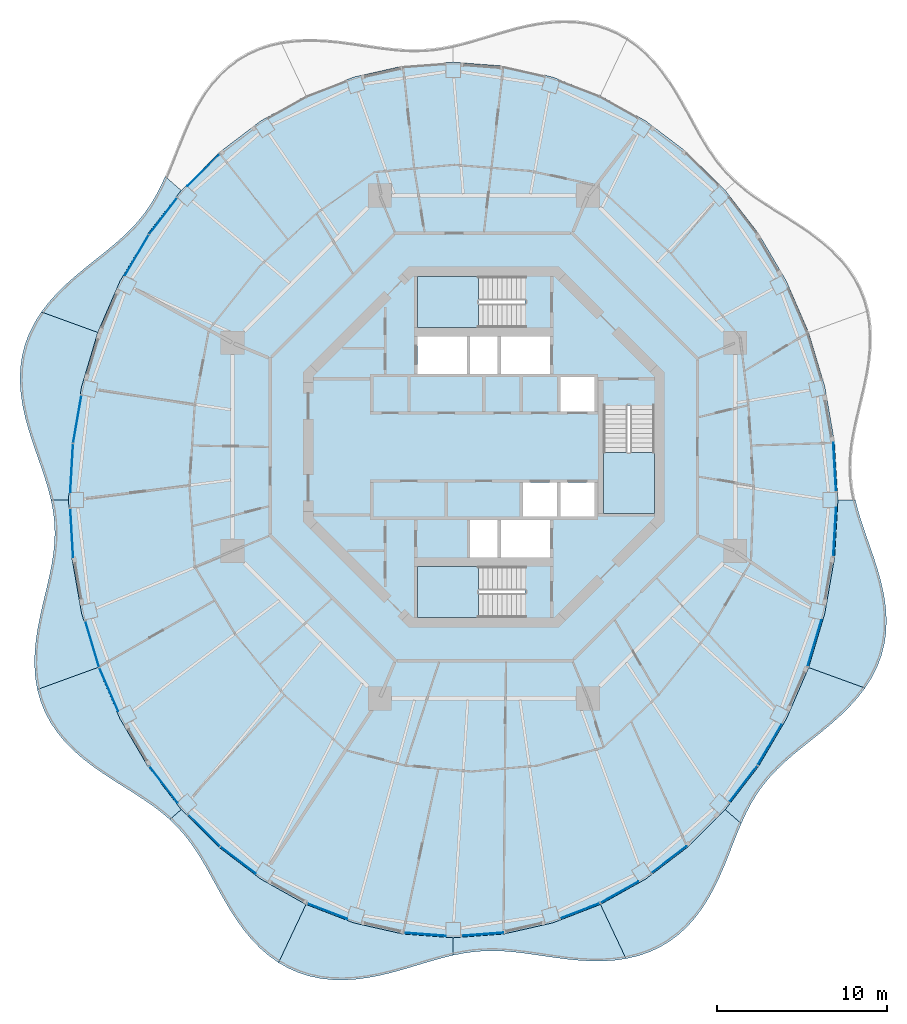
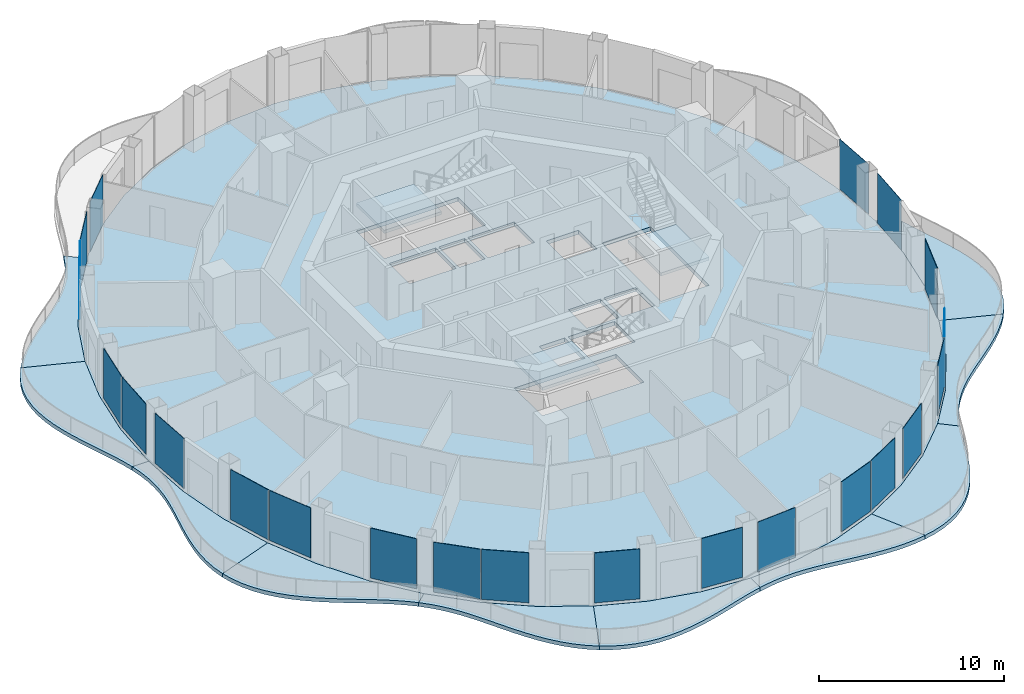
# One storey, part 8 of 17: 22 plates, 14 slabs, 25 elements without a shape of their own.
"""IFC4 building model written with IfcOpenShell, lengths in metres."""

from ifc_helpers import new_model, si_unit, direction, frame, origin, origin_2d, place, context, subcontext, project, spatial, polyline, rectangle, outline, extrude, material, layer, layer_set, type_object, element, aggregate, save


model = new_model("IFC4")

# Units and contexts
model_context = context("Model", 3, precision=1e-05, world=origin(), true_north=direction((0.0, 1.0)))
body_context = subcontext(model_context, "Body", "Model", "MODEL_VIEW")
ifc_project = project(units=[si_unit("LENGTHUNIT", "METRE"), si_unit("AREAUNIT", "SQUARE_METRE"), si_unit("VOLUMEUNIT", "CUBIC_METRE"), si_unit("PLANEANGLEUNIT", "RADIAN"), si_unit("MASSUNIT", "GRAM", prefix="KILO")], contexts=[model_context])

# Site, building, storey
site_placement = place(None, origin())
site = spatial("IfcSite", under=ifc_project, at=site_placement, CompositionType="ELEMENT")
building_placement = place(site_placement, origin())
building = spatial("IfcBuilding", under=site, at=building_placement, Name="Nagisa Residences", CompositionType="ELEMENT")
storey_placement = place(building_placement, frame((0.0, 0.0, 265.89990234375)))
storey = spatial("IfcBuildingStorey", under=building, at=storey_placement, Name="L67", CompositionType="ELEMENT", Elevation=265.89990234375)

# Slabs
ifc_material_1 = material(Name="Concrete C40/50", Category="concrete")
ifc_layer_1 = layer(ifc_material_1, 0.25)
ifc_layer_set_1 = layer_set([ifc_layer_1], Name="BALCONY SLAB 250")
slab_type_1 = type_object("IfcSlabType", Name="BALCONY SLAB 250", PredefinedType="FLOOR", material=ifc_layer_set_1)
slab_1_placement = place(storey_placement, frame((0.0, 0.0, -0.25)))
element("IfcSlab", 1, at=slab_1_placement, inside=storey, type_object=slab_type_1, Name="slab:L67:bal06", PredefinedType="FLOOR", context=body_context, shape_type="SweptSolid", body=[
    extrude(outline(polyline([(-18.732666015625, 15.907470703125), (-19.009765625, 15.3056640625), (-19.3095703125, 14.732666015625), (-19.638671875, 14.18994140625), (-20.001953125, 13.67578125), (-20.40234375, 13.1875), (-20.840576171875, 12.720947265625), (-21.315185546875, 12.2705078125), (-21.822021484375, 11.830322265625), (-22.355224609375, 11.3935546875), (-22.90673828125, 10.95361328125), (-23.46728515625, 10.50390625), (-24.02587890625, 10.038818359375), (-24.571044921875, 9.552978515625), (-25.09130859375, 9.04248046875), (-25.5751953125, 8.505126953125), (-26.01220703125, 7.93896484375), (-22.6982421875, 6.732666015625), (-21.389404296875, 9.752197265625), (-19.74560546875, 12.5517578125), (-17.794677734375, 15.083251953125), (-18.732666015625, 15.907470703125)])), origin(), (0.0, 0.0, 1.0), 0.25),
])
slab_2_placement = place(storey_placement, frame((0.0, 0.0, -0.25)))
element("IfcSlab", 2, at=slab_2_placement, inside=storey, type_object=slab_type_1, Name="slab:L67:bal07", PredefinedType="FLOOR", context=body_context, shape_type="SweptSolid", body=[
    extrude(outline(polyline([(-26.01220703125, 7.93896484375), (-26.404296875, 7.324951171875), (-26.728515625, 6.681640625), (-26.97900390625, 6.012451171875), (-27.152587890625, 5.320556640625), (-27.248779296875, 4.610595703125), (-27.270263671875, 3.88818359375), (-27.22216796875, 3.158447265625), (-27.112548828125, 2.42626953125), (-26.951416015625, 1.697021484375), (-26.750244140625, 0.974609375), (-26.5224609375, 0.261962890625), (-26.281494140625, -0.438720703125), (-26.041015625, -1.126220703125), (-25.81396484375, -1.80078125), (-25.612060546875, -2.4638671875), (-25.445556640625, -3.11767578125), (-24.419921875, -3.11767578125), (-24.2265625, 0.241943359375), (-23.649169921875, 3.544189453125), (-22.6982421875, 6.732666015625), (-26.01220703125, 7.93896484375)])), origin(), (0.0, 0.0, 1.0), 0.25),
])
slab_3_placement = place(storey_placement, frame((0.0, 0.0, -0.25)))
element("IfcSlab", 3, at=slab_3_placement, inside=storey, type_object=slab_type_1, Name="slab:L67:bal08", PredefinedType="FLOOR", context=body_context, shape_type="SweptSolid", body=[
    extrude(outline(polyline([(-25.445556640625, -3.11767578125), (-25.322021484375, -3.765380859375), (-25.246337890625, -4.41015625), (-25.220947265625, -5.056396484375), (-25.24560546875, -5.70751953125), (-25.316162109375, -6.3671875), (-25.4267578125, -7.0380859375), (-25.568359375, -7.72265625), (-25.730712890625, -8.421142578125), (-25.901123046875, -9.134033203125), (-26.066650390625, -9.859619140625), (-26.21337890625, -10.594970703125), (-26.32861328125, -11.336669921875), (-26.399658203125, -12.079833984375), (-26.41552734375, -12.81884765625), (-26.36767578125, -13.5478515625), (-26.249267578125, -14.2607421875), (-22.6982421875, -12.968017578125), (-23.649169921875, -9.77978515625), (-24.2265625, -6.4775390625), (-24.419921875, -3.11767578125), (-25.445556640625, -3.11767578125)])), origin(), (0.0, 0.0, 1.0), 0.25),
])
slab_4_placement = place(storey_placement, frame((0.0, 0.0, -0.25)))
element("IfcSlab", 4, at=slab_4_placement, inside=storey, type_object=slab_type_1, Name="slab:L67:bal09", PredefinedType="FLOOR", context=body_context, shape_type="SweptSolid", body=[
    extrude(outline(polyline([(-26.249267578125, -14.2607421875), (-26.063720703125, -14.930419921875), (-25.806884765625, -15.57470703125), (-25.480712890625, -16.189453125), (-25.088623046875, -16.771484375), (-24.636962890625, -17.319091796875), (-24.13330078125, -17.83203125), (-23.587158203125, -18.311279296875), (-23.009033203125, -18.759521484375), (-22.409912109375, -19.180419921875), (-21.80126953125, -19.57958984375), (-21.193603515625, -19.96337890625), (-20.596923828125, -20.338623046875), (-20.01953125, -20.71337890625), (-19.46875, -21.094482421875), (-18.948974609375, -21.489990234375), (-18.463134765625, -21.906005859375), (-17.794677734375, -21.318603515625), (-19.74560546875, -18.787109375), (-21.389404296875, -15.98779296875), (-22.6982421875, -12.968017578125), (-26.249267578125, -14.2607421875)])), origin(), (0.0, 0.0, 1.0), 0.25),
])
slab_5_placement = place(storey_placement, frame((0.0, 0.0, -0.25)))
element("IfcSlab", 5, at=slab_5_placement, inside=storey, type_object=slab_type_1, Name="slab:L67:bal10", PredefinedType="FLOOR", context=body_context, shape_type="SweptSolid", body=[
    extrude(outline(polyline([(-18.463134765625, -21.906005859375), (-18.032470703125, -22.326904296875), (-17.631591796875, -22.77490234375), (-17.2578125, -23.252197265625), (-16.906494140625, -23.75927734375), (-16.57177734375, -24.295166015625), (-16.2470703125, -24.856689453125), (-15.9248046875, -25.439697265625), (-15.59765625, -26.03759765625), (-15.2578125, -26.64306640625), (-14.8984375, -27.24755859375), (-14.513427734375, -27.841796875), (-14.097412109375, -28.41552734375), (-13.646484375, -28.959228515625), (-13.158203125, -29.463134765625), (-12.632080078125, -29.9189453125), (-12.068359375, -30.318603515625), (-10.456298828125, -26.8984375), (-13.110107421875, -25.4091796875), (-15.570068359375, -23.53857421875), (-17.794677734375, -21.318603515625), (-18.463134765625, -21.906005859375)])), origin(), (0.0, 0.0, 1.0), 0.25),
])
slab_6_placement = place(storey_placement, frame((0.0, 0.0, -0.25)))
element("IfcSlab", 6, at=slab_6_placement, inside=storey, type_object=slab_type_1, Name="slab:L67:bal11", PredefinedType="FLOOR", context=body_context, shape_type="SweptSolid", body=[
    extrude(outline(polyline([(-12.068359375, -30.318603515625), (-11.49169921875, -30.64501953125), (-10.88525390625, -30.91015625), (-10.253173828125, -31.111328125), (-9.60009765625, -31.24853515625), (-8.931640625, -31.3232421875), (-8.252685546875, -31.3388671875), (-7.5693359375, -31.300048828125), (-6.886474609375, -31.214111328125), (-6.208740234375, -31.08837890625), (-5.539794921875, -30.93212890625), (-4.8828125, -30.7548828125), (-4.2392578125, -30.566162109375), (-3.610107421875, -30.3759765625), (-2.994873046875, -30.193603515625), (-2.392333984375, -30.02685546875), (-1.800048828125, -29.88330078125), (-1.800048828125, -28.857666015625), (-4.75244140625, -28.637451171875), (-7.654541015625, -27.980712890625), (-10.456298828125, -26.8984375), (-12.068359375, -30.318603515625)])), origin(), (0.0, 0.0, 1.0), 0.25),
])
slab_7_placement = place(storey_placement, frame((0.0, 0.0, -0.25)))
element("IfcSlab", 7, at=slab_7_placement, inside=storey, type_object=slab_type_1, Name="slab:L67:bal12", PredefinedType="FLOOR", context=body_context, shape_type="SweptSolid", body=[
    extrude(outline(polyline([(-1.800048828125, -29.88330078125), (-1.215087890625, -29.76806640625), (-0.6337890625, -29.685546875), (-0.052490234375, -29.63720703125), (0.53271484375, -29.623291015625), (1.12548828125, -29.641845703125), (1.728759765625, -29.689208984375), (2.3447265625, -29.759765625), (2.975341796875, -29.8466796875), (3.62060546875, -29.94189453125), (4.280029296875, -30.03662109375), (4.95166015625, -30.121337890625), (5.63232421875, -30.186767578125), (6.318603515625, -30.223876953125), (7.00537109375, -30.22412109375), (7.687255859375, -30.179931640625), (8.3583984375, -30.0849609375), (6.856201171875, -26.8984375), (4.054443359375, -27.980712890625), (1.152587890625, -28.637451171875), (-1.800048828125, -28.857666015625), (-1.800048828125, -29.88330078125)])), origin(), (0.0, 0.0, 1.0), 0.25),
])
slab_8_placement = place(storey_placement, frame((0.0, 0.0, -0.25)))
element("IfcSlab", 8, at=slab_8_placement, inside=storey, type_object=slab_type_1, Name="slab:L67:bal13", PredefinedType="FLOOR", context=body_context, shape_type="SweptSolid", body=[
    extrude(outline(polyline([(8.3583984375, -30.0849609375), (9.036865234375, -29.92822265625), (9.690673828125, -29.70849609375), (10.31396484375, -29.424560546875), (10.9013671875, -29.076904296875), (11.448974609375, -28.66845703125), (11.95361328125, -28.203369140625), (12.41455078125, -27.68798828125), (12.83203125, -27.12939453125), (13.2080078125, -26.5361328125), (13.5458984375, -25.9169921875), (13.85107421875, -25.281005859375), (14.12939453125, -24.637451171875), (14.388916015625, -23.994873046875), (14.636962890625, -23.360595703125), (14.882080078125, -22.741455078125), (15.1328125, -22.142822265625), (14.19482421875, -21.318603515625), (11.97021484375, -23.53857421875), (9.510009765625, -25.4091796875), (6.856201171875, -26.8984375), (8.3583984375, -30.0849609375)])), origin(), (0.0, 0.0, 1.0), 0.25),
])
slab_9_placement = place(storey_placement, frame((0.0, 0.0, -0.25)))
element("IfcSlab", 9, at=slab_9_placement, inside=storey, type_object=slab_type_1, Name="slab:L67:bal14", PredefinedType="FLOOR", context=body_context, shape_type="SweptSolid", body=[
    extrude(outline(polyline([(15.1328125, -22.142822265625), (15.409912109375, -21.541015625), (15.709716796875, -20.96826171875), (16.03857421875, -20.42529296875), (16.40185546875, -19.9111328125), (16.80224609375, -19.4228515625), (17.240478515625, -18.956298828125), (17.715087890625, -18.505859375), (18.221923828125, -18.065673828125), (18.755126953125, -17.62890625), (19.306884765625, -17.18896484375), (19.8671875, -16.7392578125), (20.42578125, -16.274169921875), (20.970947265625, -15.788330078125), (21.4912109375, -15.27783203125), (21.97509765625, -14.740478515625), (22.412353515625, -14.17431640625), (19.09814453125, -12.968017578125), (17.78955078125, -15.98779296875), (16.145751953125, -18.787109375), (14.19482421875, -21.318603515625), (15.1328125, -22.142822265625)])), origin(), (0.0, 0.0, 1.0), 0.25),
])
slab_10_placement = place(storey_placement, frame((0.0, 0.0, -0.25)))
element("IfcSlab", 10, at=slab_10_placement, inside=storey, type_object=slab_type_1, Name="slab:L67:bal15", PredefinedType="FLOOR", context=body_context, shape_type="SweptSolid", body=[
    extrude(outline(polyline([(22.412353515625, -14.17431640625), (22.804443359375, -13.560302734375), (23.128662109375, -12.917236328125), (23.379150390625, -12.247802734375), (23.552734375, -11.555908203125), (23.64892578125, -10.84619140625), (23.67041015625, -10.12353515625), (23.622314453125, -9.393798828125), (23.5126953125, -8.661865234375), (23.351318359375, -7.932373046875), (23.150146484375, -7.2099609375), (22.92236328125, -6.497314453125), (22.681396484375, -5.796630859375), (22.44091796875, -5.109130859375), (22.2138671875, -4.4345703125), (22.01220703125, -3.771484375), (21.845458984375, -3.11767578125), (20.820068359375, -3.11767578125), (20.62646484375, -6.4775390625), (20.04931640625, -9.77978515625), (19.09814453125, -12.968017578125), (22.412353515625, -14.17431640625)])), origin(), (0.0, 0.0, 1.0), 0.25),
])

# Curtain wall, plate
ifc_material_2 = material(Name="Concrete-coloured aluminium curtain wall system", Category="concrete")
ifc_layer_2 = layer(ifc_material_2, 0.159912109375)
ifc_layer_set_2 = layer_set([ifc_layer_2], Name="CW1 CURTAIN WALL")
curtain_wall_type = type_object("IfcCurtainWallType", Name="CW1 CURTAIN WALL", PredefinedType="NOTDEFINED", material=ifc_layer_set_2)
curtain_wall_1_placement = place(storey_placement, origin())
curtain_wall_1 = element("IfcCurtainWall", 11, at=curtain_wall_1_placement, inside=storey, type_object=curtain_wall_type, Name="cw:CW1:L67:00", PredefinedType="NOTDEFINED")
ifc_material_3 = material(Name="Clear laminated glass", Category="glass")
ifc_layer_3 = layer(ifc_material_3, 0.028076171875)
ifc_layer_set_3 = layer_set([ifc_layer_3], Name="CW1 GLASS PANEL")
plate_type = type_object("IfcPlateType", Name="CW1 GLASS PANEL", PredefinedType="CURTAIN_PANEL", material=ifc_layer_set_3)
plate_1_placement = place(storey_placement, frame((20.628662109375, -1.187744140625, 0.150146484375), z_axis=(0.0, 0.0, 1.0), x_axis=(-0.057503492216, 0.998345305184, 0.0)))
plate_1 = element("IfcPlate", 12, at=plate_1_placement, type_object=plate_type, Name="CW1 panel", PredefinedType="CURTAIN_PANEL", context=body_context, shape_type="SweptSolid", body=[
    extrude(rectangle(XDim=2.855224609375, YDim=0.028076171875, at=origin_2d()), origin(), (0.0, 0.0, 1.0), 3.2900390625),
])
aggregate(curtain_wall_1, [plate_1])

curtain_wall_2_placement = place(storey_placement, origin())
curtain_wall_2 = element("IfcCurtainWall", 13, at=curtain_wall_2_placement, inside=storey, type_object=curtain_wall_type, Name="cw:CW1:L67:17", PredefinedType="NOTDEFINED")
plate_2_placement = place(storey_placement, frame((-16.488037109375, 16.2744140625, 0.150146484375), z_axis=(0.0, 0.0, 1.0), x_axis=(-0.707835924016, -0.706376885714, 0.0)))
plate_2 = element("IfcPlate", 14, at=plate_2_placement, type_object=plate_type, Name="CW1 panel", PredefinedType="CURTAIN_PANEL", context=body_context, shape_type="SweptSolid", body=[
    extrude(rectangle(XDim=2.6328125, YDim=0.028076171875, at=origin_2d()), origin(), (0.0, 0.0, 1.0), 3.2900390625),
])
aggregate(curtain_wall_2, [plate_2])

curtain_wall_3_placement = place(storey_placement, origin())
curtain_wall_3 = element("IfcCurtainWall", 15, at=curtain_wall_3_placement, inside=storey, type_object=curtain_wall_type, Name="cw:CW1:L67:18", PredefinedType="NOTDEFINED")
plate_3_placement = place(storey_placement, frame((-18.862548828125, 13.566650390625, 0.150146484375), z_axis=(0.0, 0.0, 1.0), x_axis=(-0.610429828235, -0.792070340816, 0.0)))
plate_3 = element("IfcPlate", 16, at=plate_3_placement, type_object=plate_type, Name="CW1 panel", PredefinedType="CURTAIN_PANEL", context=body_context, shape_type="SweptSolid", body=[
    extrude(rectangle(XDim=2.68603515625, YDim=0.028076171875, at=origin_2d()), origin(), (0.0, 0.0, 1.0), 3.2900390625),
])
aggregate(curtain_wall_3, [plate_3])

curtain_wall_4_placement = place(storey_placement, origin())
curtain_wall_4 = element("IfcCurtainWall", 17, at=curtain_wall_4_placement, inside=storey, type_object=curtain_wall_type, Name="cw:CW1:L67:19", PredefinedType="NOTDEFINED")
plate_4_placement = place(storey_placement, frame((-20.39990234375, 11.27978515625, 0.150146484375), z_axis=(0.0, 0.0, 1.0), x_axis=(-0.506348567002, -0.862328898214, 0.0)))
plate_4 = element("IfcPlate", 18, at=plate_4_placement, type_object=plate_type, Name="CW1 panel", PredefinedType="CURTAIN_PANEL", context=body_context, shape_type="SweptSolid", body=[
    extrude(rectangle(XDim=2.736572265625, YDim=0.028076171875, at=origin_2d()), origin(), (0.0, 0.0, 1.0), 3.2900390625),
])
aggregate(curtain_wall_4, [plate_4])

curtain_wall_5_placement = place(storey_placement, origin())
curtain_wall_5 = element("IfcCurtainWall", 19, at=curtain_wall_5_placement, inside=storey, type_object=curtain_wall_type, Name="cw:CW1:L67:22", PredefinedType="NOTDEFINED")
plate_5_placement = place(storey_placement, frame((-23.903076171875, 1.628173828125, 0.150146484375), z_axis=(0.0, 0.0, 1.0), x_axis=(-0.172190868898, -0.985063604377, 0.0)))
plate_5 = element("IfcPlate", 20, at=plate_5_placement, type_object=plate_type, Name="CW1 panel", PredefinedType="CURTAIN_PANEL", context=body_context, shape_type="SweptSolid", body=[
    extrude(rectangle(XDim=2.84228515625, YDim=0.028076171875, at=origin_2d()), origin(), (0.0, 0.0, 1.0), 3.2900390625),
])
aggregate(curtain_wall_5, [plate_5])

curtain_wall_6_placement = place(storey_placement, origin())
curtain_wall_6 = element("IfcCurtainWall", 21, at=curtain_wall_6_placement, inside=storey, type_object=curtain_wall_type, Name="cw:CW1:L67:23", PredefinedType="NOTDEFINED")
plate_6_placement = place(storey_placement, frame((-24.232177734375, -1.247802734375, 0.150146484375), z_axis=(0.0, 0.0, 1.0), x_axis=(-0.057503492216, -0.998345305184, 0.0)))
plate_6 = element("IfcPlate", 22, at=plate_6_placement, type_object=plate_type, Name="CW1 panel", PredefinedType="CURTAIN_PANEL", context=body_context, shape_type="SweptSolid", body=[
    extrude(rectangle(XDim=2.855224609375, YDim=0.028076171875, at=origin_2d()), origin(), (0.0, 0.0, 1.0), 3.2900390625),
])
aggregate(curtain_wall_6, [plate_6])

curtain_wall_7_placement = place(storey_placement, origin())
curtain_wall_7 = element("IfcCurtainWall", 23, at=curtain_wall_7_placement, inside=storey, type_object=curtain_wall_type, Name="cw:CW1:L67:24", PredefinedType="NOTDEFINED")
plate_7_placement = place(storey_placement, frame((-24.228759765625, -5.047607421875, 0.150146484375), z_axis=(0.0, 0.0, 1.0), x_axis=(0.057503492216, -0.998345305184, 0.0)))
plate_7 = element("IfcPlate", 24, at=plate_7_placement, type_object=plate_type, Name="CW1 panel", PredefinedType="CURTAIN_PANEL", context=body_context, shape_type="SweptSolid", body=[
    extrude(rectangle(XDim=2.855224609375, YDim=0.028076171875, at=origin_2d()), origin(), (0.0, 0.0, 1.0), 3.2900390625),
])
aggregate(curtain_wall_7, [plate_7])

curtain_wall_8_placement = place(storey_placement, origin())
curtain_wall_8 = element("IfcCurtainWall", 25, at=curtain_wall_8_placement, inside=storey, type_object=curtain_wall_type, Name="cw:CW1:L67:26", PredefinedType="NOTDEFINED")
plate_8_placement = place(storey_placement, frame((-23.024169921875, -11.59521484375, 0.150146484375), z_axis=(0.0, 0.0, 1.0), x_axis=(0.285860274038, -0.958271310082, 0.0)))
plate_8 = element("IfcPlate", 26, at=plate_8_placement, type_object=plate_type, Name="CW1 panel", PredefinedType="CURTAIN_PANEL", context=body_context, shape_type="SweptSolid", body=[
    extrude(rectangle(XDim=2.817138671875, YDim=0.028076171875, at=origin_2d()), origin(), (0.0, 0.0, 1.0), 3.2900390625),
])
aggregate(curtain_wall_8, [plate_8])

curtain_wall_9_placement = place(storey_placement, origin())
curtain_wall_9 = element("IfcCurtainWall", 27, at=curtain_wall_9_placement, inside=storey, type_object=curtain_wall_type, Name="cw:CW1:L67:27", PredefinedType="NOTDEFINED")
plate_9_placement = place(storey_placement, frame((-22.0478515625, -14.26708984375, 0.150146484375), z_axis=(0.0, 0.0, 1.0), x_axis=(0.397635934147, -0.917543276295, 0.0)))
plate_9 = element("IfcPlate", 28, at=plate_9_placement, type_object=plate_type, Name="CW1 panel", PredefinedType="CURTAIN_PANEL", context=body_context, shape_type="SweptSolid", body=[
    extrude(rectangle(XDim=2.781005859375, YDim=0.028076171875, at=origin_2d()), origin(), (0.0, 0.0, 1.0), 3.2900390625),
])
aggregate(curtain_wall_9, [plate_9])

curtain_wall_10_placement = place(storey_placement, origin())
curtain_wall_10 = element("IfcCurtainWall", 29, at=curtain_wall_10_placement, inside=storey, type_object=curtain_wall_type, Name="cw:CW1:L67:29", PredefinedType="NOTDEFINED")
plate_10_placement = place(storey_placement, frame((-18.825927734375, -19.849609375, 0.150146484375), z_axis=(0.0, 0.0, 1.0), x_axis=(0.610429828235, -0.792070340816, 0.0)))
plate_10 = element("IfcPlate", 30, at=plate_10_placement, type_object=plate_type, Name="CW1 panel", PredefinedType="CURTAIN_PANEL", context=body_context, shape_type="SweptSolid", body=[
    extrude(rectangle(XDim=2.68603515625, YDim=0.028076171875, at=origin_2d()), origin(), (0.0, 0.0, 1.0), 3.2900390625),
])
aggregate(curtain_wall_10, [plate_10])

curtain_wall_11_placement = place(storey_placement, origin())
curtain_wall_11 = element("IfcCurtainWall", 31, at=curtain_wall_11_placement, inside=storey, type_object=curtain_wall_type, Name="cw:CW1:L67:30", PredefinedType="NOTDEFINED")
plate_11_placement = place(storey_placement, frame((-16.445556640625, -22.552001953125, 0.150146484375), z_axis=(0.0, 0.0, 1.0), x_axis=(0.707835924016, -0.706376885714, 0.0)))
plate_11 = element("IfcPlate", 32, at=plate_11_placement, type_object=plate_type, Name="CW1 panel", PredefinedType="CURTAIN_PANEL", context=body_context, shape_type="SweptSolid", body=[
    extrude(rectangle(XDim=2.6328125, YDim=0.028076171875, at=origin_2d()), origin(), (0.0, 0.0, 1.0), 3.2900390625),
])
aggregate(curtain_wall_11, [plate_11])

curtain_wall_12_placement = place(storey_placement, origin())
curtain_wall_12 = element("IfcCurtainWall", 33, at=curtain_wall_12_placement, inside=storey, type_object=curtain_wall_type, Name="cw:CW1:L67:31", PredefinedType="NOTDEFINED")
plate_12_placement = place(storey_placement, frame((-14.44677734375, -24.292236328125, 0.150146484375), z_axis=(0.0, 0.0, 1.0), x_axis=(0.79603132756, -0.605255421737, 0.0)))
plate_12 = element("IfcPlate", 34, at=plate_12_placement, type_object=plate_type, Name="CW1 panel", PredefinedType="CURTAIN_PANEL", context=body_context, shape_type="SweptSolid", body=[
    extrude(rectangle(XDim=2.58056640625, YDim=0.028076171875, at=origin_2d()), origin(), (0.0, 0.0, 1.0), 3.2900390625),
])
aggregate(curtain_wall_12, [plate_12])

curtain_wall_13_placement = place(storey_placement, origin())
curtain_wall_13 = element("IfcCurtainWall", 35, at=curtain_wall_13_placement, inside=storey, type_object=curtain_wall_type, Name="cw:CW1:L67:33", PredefinedType="NOTDEFINED")
plate_13_placement = place(storey_placement, frame((-9.20849609375, -27.294677734375, 0.150146484375), z_axis=(0.0, 0.0, 1.0), x_axis=(0.932825759707, -0.360327770268, 0.0)))
plate_13 = element("IfcPlate", 36, at=plate_13_placement, type_object=plate_type, Name="CW1 panel", PredefinedType="CURTAIN_PANEL", context=body_context, shape_type="SweptSolid", body=[
    extrude(rectangle(XDim=2.49365234375, YDim=0.028076171875, at=origin_2d()), origin(), (0.0, 0.0, 1.0), 3.2900390625),
])
aggregate(curtain_wall_13, [plate_13])

curtain_wall_14_placement = place(storey_placement, origin())
curtain_wall_14 = element("IfcCurtainWall", 37, at=curtain_wall_14_placement, inside=storey, type_object=curtain_wall_type, Name="cw:CW1:L67:35", PredefinedType="NOTDEFINED")
plate_14_placement = place(storey_placement, frame((-3.46484375, -28.6533203125, 0.150146484375), z_axis=(0.0, 0.0, 1.0), x_axis=(0.997230168512, -0.074377355493, 0.0)))
plate_14 = element("IfcPlate", 38, at=plate_14_placement, type_object=plate_type, Name="CW1 panel", PredefinedType="CURTAIN_PANEL", context=body_context, shape_type="SweptSolid", body=[
    extrude(rectangle(XDim=2.45068359375, YDim=0.028076171875, at=origin_2d()), origin(), (0.0, 0.0, 1.0), 3.2900390625),
])
aggregate(curtain_wall_14, [plate_14])

curtain_wall_15_placement = place(storey_placement, origin())
curtain_wall_15 = element("IfcCurtainWall", 39, at=curtain_wall_15_placement, inside=storey, type_object=curtain_wall_type, Name="cw:CW1:L67:36", PredefinedType="NOTDEFINED")
plate_15_placement = place(storey_placement, frame((-0.075439453125, -28.64892578125, 0.150146484375), z_axis=(0.0, 0.0, 1.0), x_axis=(0.997230168512, 0.074377355493, 0.0)))
plate_15 = element("IfcPlate", 40, at=plate_15_placement, type_object=plate_type, Name="CW1 panel", PredefinedType="CURTAIN_PANEL", context=body_context, shape_type="SweptSolid", body=[
    extrude(rectangle(XDim=2.45068359375, YDim=0.028076171875, at=origin_2d()), origin(), (0.0, 0.0, 1.0), 3.2900390625),
])
aggregate(curtain_wall_15, [plate_15])

curtain_wall_16_placement = place(storey_placement, origin())
curtain_wall_16 = element("IfcCurtainWall", 41, at=curtain_wall_16_placement, inside=storey, type_object=curtain_wall_type, Name="cw:CW1:L67:38", PredefinedType="NOTDEFINED")
plate_16_placement = place(storey_placement, frame((5.66455078125, -27.27294921875, 0.150146484375), z_axis=(0.0, 0.0, 1.0), x_axis=(0.932825759707, 0.360327770268, 0.0)))
plate_16 = element("IfcPlate", 42, at=plate_16_placement, type_object=plate_type, Name="CW1 panel", PredefinedType="CURTAIN_PANEL", context=body_context, shape_type="SweptSolid", body=[
    extrude(rectangle(XDim=2.49365234375, YDim=0.028076171875, at=origin_2d()), origin(), (0.0, 0.0, 1.0), 3.2900390625),
])
aggregate(curtain_wall_16, [plate_16])

curtain_wall_17_placement = place(storey_placement, origin())
curtain_wall_17 = element("IfcCurtainWall", 43, at=curtain_wall_17_placement, inside=storey, type_object=curtain_wall_type, Name="cw:CW1:L67:39", PredefinedType="NOTDEFINED")
plate_17_placement = place(storey_placement, frame((7.973876953125, -26.179443359375, 0.150146484375), z_axis=(0.0, 0.0, 1.0), x_axis=(0.872072377523, 0.489376918501, 0.0)))
plate_17 = element("IfcPlate", 44, at=plate_17_placement, type_object=plate_type, Name="CW1 panel", PredefinedType="CURTAIN_PANEL", context=body_context, shape_type="SweptSolid", body=[
    extrude(rectangle(XDim=2.532958984375, YDim=0.028076171875, at=origin_2d()), origin(), (0.0, 0.0, 1.0), 3.2900390625),
])
aggregate(curtain_wall_17, [plate_17])

curtain_wall_18_placement = place(storey_placement, origin())
curtain_wall_18 = element("IfcCurtainWall", 45, at=curtain_wall_18_placement, inside=storey, type_object=curtain_wall_type, Name="cw:CW1:L67:40", PredefinedType="NOTDEFINED")
plate_18_placement = place(storey_placement, frame((10.894775390625, -24.255859375, 0.150146484375), z_axis=(0.0, 0.0, 1.0), x_axis=(0.79603132756, 0.605255421737, 0.0)))
plate_18 = element("IfcPlate", 46, at=plate_18_placement, type_object=plate_type, Name="CW1 panel", PredefinedType="CURTAIN_PANEL", context=body_context, shape_type="SweptSolid", body=[
    extrude(rectangle(XDim=2.58056640625, YDim=0.028076171875, at=origin_2d()), origin(), (0.0, 0.0, 1.0), 3.2900390625),
])
aggregate(curtain_wall_18, [plate_18])

curtain_wall_19_placement = place(storey_placement, origin())
curtain_wall_19 = element("IfcCurtainWall", 47, at=curtain_wall_19_placement, inside=storey, type_object=curtain_wall_type, Name="cw:CW1:L67:42", PredefinedType="NOTDEFINED")
plate_19_placement = place(storey_placement, frame((15.262451171875, -19.802001953125, 0.150146484375), z_axis=(0.0, 0.0, 1.0), x_axis=(0.610429828235, 0.792070340816, 0.0)))
plate_19 = element("IfcPlate", 48, at=plate_19_placement, type_object=plate_type, Name="CW1 panel", PredefinedType="CURTAIN_PANEL", context=body_context, shape_type="SweptSolid", body=[
    extrude(rectangle(XDim=2.68603515625, YDim=0.028076171875, at=origin_2d()), origin(), (0.0, 0.0, 1.0), 3.2900390625),
])
aggregate(curtain_wall_19, [plate_19])

curtain_wall_20_placement = place(storey_placement, origin())
curtain_wall_20 = element("IfcCurtainWall", 49, at=curtain_wall_20_placement, inside=storey, type_object=curtain_wall_type, Name="cw:CW1:L67:43", PredefinedType="NOTDEFINED")
plate_20_placement = place(storey_placement, frame((16.7998046875, -17.51513671875, 0.150146484375), z_axis=(0.0, 0.0, 1.0), x_axis=(0.506348567002, 0.862328898214, 0.0)))
plate_20 = element("IfcPlate", 50, at=plate_20_placement, type_object=plate_type, Name="CW1 panel", PredefinedType="CURTAIN_PANEL", context=body_context, shape_type="SweptSolid", body=[
    extrude(rectangle(XDim=2.736572265625, YDim=0.028076171875, at=origin_2d()), origin(), (0.0, 0.0, 1.0), 3.2900390625),
])
aggregate(curtain_wall_20, [plate_20])

curtain_wall_21_placement = place(storey_placement, origin())
curtain_wall_21 = element("IfcCurtainWall", 51, at=curtain_wall_21_placement, inside=storey, type_object=curtain_wall_type, Name="cw:CW1:L67:45", PredefinedType="NOTDEFINED")
plate_21_placement = place(storey_placement, frame((19.44140625, -11.537841796875, 0.150146484375), z_axis=(0.0, 0.0, 1.0), x_axis=(0.285860274038, 0.958271310082, 0.0)))
plate_21 = element("IfcPlate", 52, at=plate_21_placement, type_object=plate_type, Name="CW1 panel", PredefinedType="CURTAIN_PANEL", context=body_context, shape_type="SweptSolid", body=[
    extrude(rectangle(XDim=2.817138671875, YDim=0.028076171875, at=origin_2d()), origin(), (0.0, 0.0, 1.0), 3.2900390625),
])
aggregate(curtain_wall_21, [plate_21])

curtain_wall_22_placement = place(storey_placement, origin())
curtain_wall_22 = element("IfcCurtainWall", 53, at=curtain_wall_22_placement, inside=storey, type_object=curtain_wall_type, Name="cw:CW1:L67:47", PredefinedType="NOTDEFINED")
plate_22_placement = place(storey_placement, frame((20.632080078125, -4.987548828125, 0.150146484375), z_axis=(0.0, 0.0, 1.0), x_axis=(0.057503492216, 0.998345305184, 0.0)))
plate_22 = element("IfcPlate", 54, at=plate_22_placement, type_object=plate_type, Name="CW1 panel", PredefinedType="CURTAIN_PANEL", context=body_context, shape_type="SweptSolid", body=[
    extrude(rectangle(XDim=2.855224609375, YDim=0.028076171875, at=origin_2d()), origin(), (0.0, 0.0, 1.0), 3.2900390625),
])
aggregate(curtain_wall_22, [plate_22])

# Slab
ifc_material_4 = material(Name="Concrete C40", Category="concrete")
ifc_layer_4 = layer(ifc_material_4, 0.260009765625)
ifc_layer_set_4 = layer_set([ifc_layer_4], Name="Floor slab 260")
slab_type_2 = type_object("IfcSlabType", Name="Floor slab 260", PredefinedType="FLOOR", material=ifc_layer_set_4)
slab_11_placement = place(storey_placement, frame((0.0, 0.0, -0.260009765625)))
element("IfcSlab", 55, at=slab_11_placement, inside=storey, type_object=slab_type_2, Name="slab:L67:floor", PredefinedType="FLOOR", context=body_context, shape_type="SweptSolid", body=[
    extrude(outline(polyline([(20.820068359375, -3.11767578125), (20.62646484375, 0.241943359375), (20.04931640625, 3.544189453125), (19.09814453125, 6.732666015625), (17.78955078125, 9.752197265625), (16.145751953125, 12.5517578125), (14.19482421875, 15.083251953125), (11.97021484375, 17.30322265625), (9.510009765625, 19.173828125), (6.856201171875, 20.6630859375), (4.054443359375, 21.745361328125), (1.152587890625, 22.402099609375), (-1.800048828125, 22.622314453125), (-4.75244140625, 22.402099609375), (-7.654541015625, 21.745361328125), (-10.456298828125, 20.6630859375), (-13.110107421875, 19.173828125), (-15.570068359375, 17.30322265625), (-17.794677734375, 15.083251953125), (-19.74560546875, 12.5517578125), (-21.389404296875, 9.752197265625), (-22.6982421875, 6.732666015625), (-23.649169921875, 3.544189453125), (-24.2265625, 0.241943359375), (-24.419921875, -3.11767578125), (-24.2265625, -6.4775390625), (-23.649169921875, -9.77978515625), (-22.6982421875, -12.968017578125), (-21.389404296875, -15.98779296875), (-19.74560546875, -18.787109375), (-17.794677734375, -21.318603515625), (-15.570068359375, -23.53857421875), (-13.110107421875, -25.4091796875), (-10.456298828125, -26.8984375), (-7.654541015625, -27.980712890625), (-4.75244140625, -28.637451171875), (-1.800048828125, -28.857666015625), (1.152587890625, -28.637451171875), (4.054443359375, -27.980712890625), (6.856201171875, -26.8984375), (9.510009765625, -25.4091796875), (11.97021484375, -23.53857421875), (14.19482421875, -21.318603515625), (16.145751953125, -18.787109375), (17.78955078125, -15.98779296875), (19.09814453125, -12.968017578125), (20.04931640625, -9.77978515625), (20.62646484375, -6.4775390625), (20.820068359375, -3.11767578125)]), holes=[polyline([(6.5, 2.10009765625), (6.5, 4.10009765625), (4.5, 4.10009765625), (4.5, 2.10009765625), (6.5, 2.10009765625)]), polyline([(4.300048828125, -4.10009765625), (4.300048828125, -2.10009765625), (2.300048828125, -2.10009765625), (2.300048828125, -4.10009765625), (4.300048828125, -4.10009765625)]), polyline([(6.5, -4.10009765625), (6.5, -2.10009765625), (4.5, -2.10009765625), (4.5, -4.10009765625), (6.5, -4.10009765625)]), polyline([(3.89990234375, 4.300048828125), (3.89990234375, 6.5), (1.0, 6.5), (1.0, 4.300048828125), (3.89990234375, 4.300048828125)]), polyline([(3.89990234375, -6.5), (3.89990234375, -4.300048828125), (1.0, -4.300048828125), (1.0, -6.5), (3.89990234375, -6.5)]), polyline([(-1.0, 4.300048828125), (-1.0, 6.5), (-3.89990234375, 6.5), (-3.89990234375, 4.300048828125), (-1.0, 4.300048828125)]), polyline([(0.800048828125, 4.300048828125), (0.800048828125, 6.5), (-0.800048828125, 6.5), (-0.800048828125, 4.300048828125), (0.800048828125, 4.300048828125)]), polyline([(0.800048828125, -6.5), (0.800048828125, -4.300048828125), (-0.800048828125, -4.300048828125), (-0.800048828125, -6.5), (0.800048828125, -6.5)]), polyline([(10.024658203125, -3.89990234375), (7.024658203125, -3.89990234375), (7.024658203125, 2.425048828125), (10.024658203125, 2.425048828125), (10.024658203125, -3.89990234375)]), polyline([(-3.89990234375, 7.024658203125), (-3.89990234375, 10.024658203125), (2.425048828125, 10.024658203125), (2.425048828125, 7.024658203125), (-3.89990234375, 7.024658203125)]), polyline([(-3.89990234375, -10.024658203125), (-3.89990234375, -7.024658203125), (2.425048828125, -7.024658203125), (2.425048828125, -10.024658203125), (-3.89990234375, -10.024658203125)])]), origin(), (0.0, 0.0, 1.0), 0.260009765625),
])

# Stair, slab
ifc_material_5 = material(Name="Concrete C60", Category="concrete")
stair_type = type_object("IfcStairType", Name="Exit stair", PredefinedType="HALF_TURN_STAIR", material=ifc_material_5)
stair_1_placement = place(storey_placement, origin())
stair_1 = element("IfcStair", 56, at=stair_1_placement, inside=storey, type_object=stair_type, Name="L67 Exit stair E", PredefinedType="HALF_TURN_STAIR")
ifc_material_6 = material(Name="Concrete C60", Category="concrete")
ifc_layer_5 = layer(ifc_material_6, 0.199951171875)
ifc_layer_set_5 = layer_set([ifc_layer_5], Name="Stair landing")
slab_type_3 = type_object("IfcSlabType", Name="Stair landing", PredefinedType="LANDING", material=ifc_layer_set_5)
slab_12_placement = place(storey_placement, frame((0.0, 0.0, 1.650146484375)))
slab_12 = element("IfcSlab", 57, at=slab_12_placement, type_object=slab_type_3, Name="ST-E landing 1", PredefinedType="LANDING", context=body_context, shape_type="SweptSolid", body=[
    extrude(outline(polyline([(7.024658203125, -0.324951171875), (7.024658203125, -3.89990234375), (10.024658203125, -3.89990234375), (10.024658203125, -0.324951171875), (7.024658203125, -0.324951171875)])), origin(), (0.0, 0.0, 1.0), 0.199951171875),
])
aggregate(stair_1, [slab_12])

stair_2_placement = place(storey_placement, origin())
stair_2 = element("IfcStair", 58, at=stair_2_placement, inside=storey, type_object=stair_type, Name="L67 Exit stair N", PredefinedType="HALF_TURN_STAIR")
slab_13_placement = place(storey_placement, frame((0.0, 0.0, 1.650146484375)))
slab_13 = element("IfcSlab", 59, at=slab_13_placement, type_object=slab_type_3, Name="ST-N landing 1", PredefinedType="LANDING", context=body_context, shape_type="SweptSolid", body=[
    extrude(outline(polyline([(-0.324951171875, 10.024658203125), (-3.89990234375, 10.024658203125), (-3.89990234375, 7.024658203125), (-0.324951171875, 7.024658203125), (-0.324951171875, 10.024658203125)])), origin(), (0.0, 0.0, 1.0), 0.199951171875),
])
aggregate(stair_2, [slab_13])

stair_3_placement = place(storey_placement, origin())
stair_3 = element("IfcStair", 60, at=stair_3_placement, inside=storey, type_object=stair_type, Name="L67 Exit stair S", PredefinedType="HALF_TURN_STAIR")
slab_14_placement = place(storey_placement, frame((0.0, 0.0, 1.650146484375)))
slab_14 = element("IfcSlab", 61, at=slab_14_placement, type_object=slab_type_3, Name="ST-S landing 1", PredefinedType="LANDING", context=body_context, shape_type="SweptSolid", body=[
    extrude(outline(polyline([(-0.324951171875, -7.024658203125), (-3.89990234375, -7.024658203125), (-3.89990234375, -10.024658203125), (-0.324951171875, -10.024658203125), (-0.324951171875, -7.024658203125)])), origin(), (0.0, 0.0, 1.0), 0.199951171875),
])
aggregate(stair_3, [slab_14])

save(model, "model.ifc")
